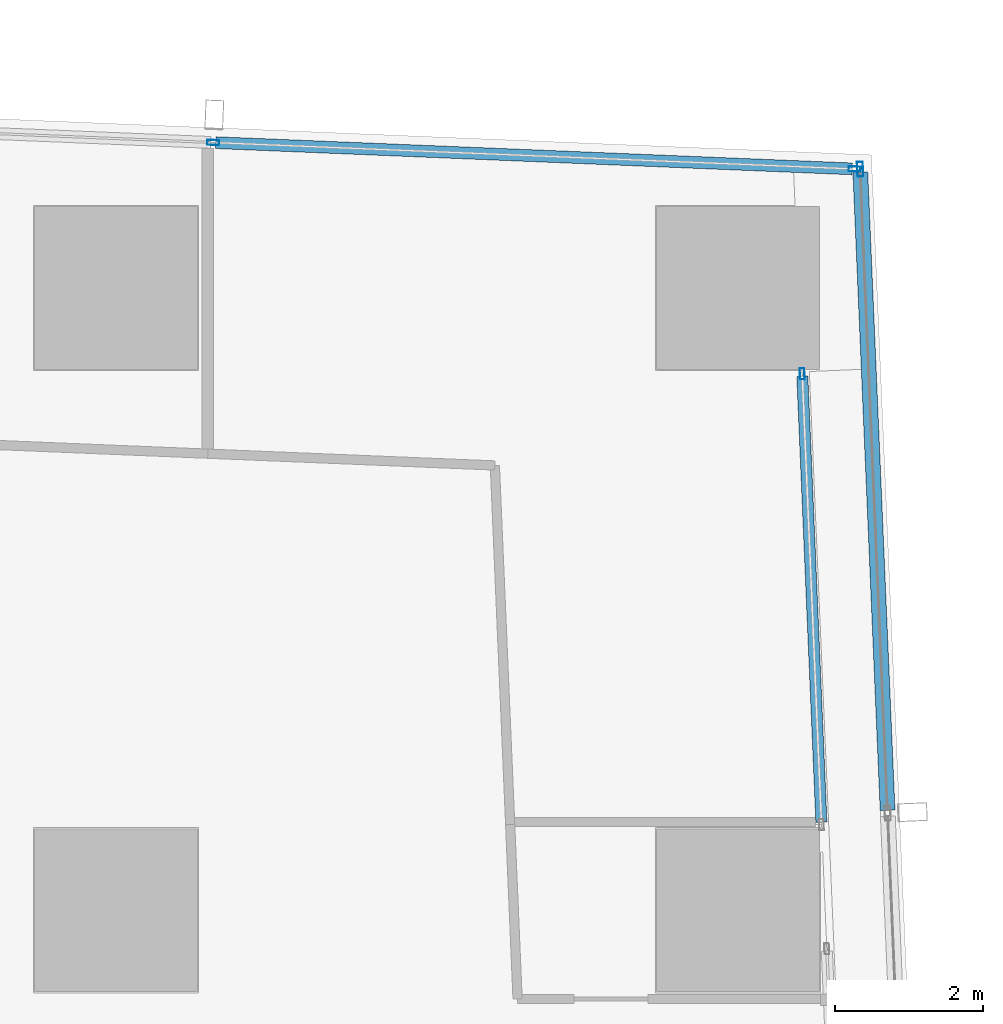
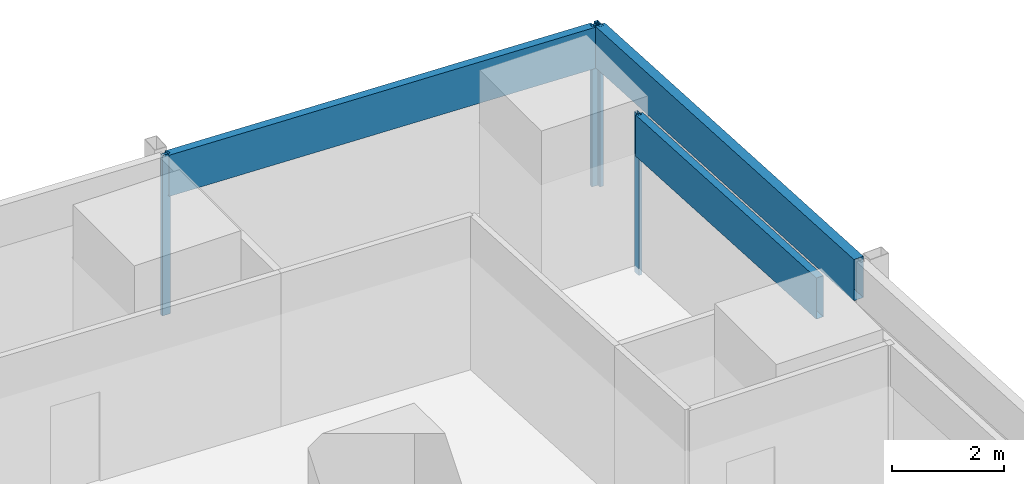
# One storey, part 23 of 45: 7 members, 3 elements without a shape of their own.
"""IFC4 building model written with IfcOpenShell, lengths in metres."""

from ifc_helpers import new_model, si_unit, direction, frame, origin, origin_2d, place, context, subcontext, project, spatial, hollow_rectangle, extrude, material, material_profile, profile_set, type_object, element, aggregate, save


model = new_model("IFC4")

# Units and contexts
model_context = context("Model", 3, precision=1e-05, world=origin(), true_north=direction((0.0, 1.0)))
body_context = subcontext(model_context, "Body", "Model", "MODEL_VIEW")
ifc_project = project(units=[si_unit("LENGTHUNIT", "METRE"), si_unit("AREAUNIT", "SQUARE_METRE"), si_unit("VOLUMEUNIT", "CUBIC_METRE"), si_unit("PLANEANGLEUNIT", "RADIAN"), si_unit("MASSUNIT", "GRAM", prefix="KILO")], contexts=[model_context])

# Site, building, storey
site_placement = place(None, origin())
site = spatial("IfcSite", under=ifc_project, at=site_placement, CompositionType="ELEMENT")
building_placement = place(site_placement, origin())
building = spatial("IfcBuilding", under=site, at=building_placement, Name="Rekha Terrace Tower", CompositionType="ELEMENT")
storey_placement = place(building_placement, frame((0.0, 0.0, 44.14990234375)))
storey = spatial("IfcBuildingStorey", under=building, at=storey_placement, Name="L10", CompositionType="ELEMENT", Elevation=44.14990234375)

# Curtain wall, members
ifc_material_1 = material(Name="Aluminium framing", Category="aluminium")
curtain_wall_type_1 = type_object("IfcCurtainWallType", Name="CW1 double skin inner glazing", PredefinedType="USERDEFINED", material=ifc_material_1)
curtain_wall_1_placement = place(storey_placement, origin())
curtain_wall_1 = element("IfcCurtainWall", 1, at=curtain_wall_1_placement, inside=storey, type_object=curtain_wall_type_1, Name="CW1 double skin inner glazing", ObjectType="DOUBLE SKIN INNER GLAZING", PredefinedType="USERDEFINED")
ifc_material_2 = material(Name="Aluminium mullion section", Category="aluminium")
ifc_material_profile_1 = material_profile(ifc_material_2, hollow_rectangle(XDim=0.06494140625, YDim=0.14990234375, WallThickness=0.00390625, at=origin_2d()), Name="AL RHS 65x150")
ifc_profile_set_1 = profile_set([ifc_material_profile_1], Name="Aluminium mullion section")
member_type_1 = type_object("IfcMemberType", Name="CW1 mullion RHS 65 x 150", PredefinedType="MULLION", material=ifc_profile_set_1)
member_1_placement = place(storey_placement, frame((68.0654296875, 57.6435546875, 0.0), z_axis=(0.0, 0.0, 1.0), x_axis=(-0.9990881069, -0.042696073026, 0.0)))
member_1 = element("IfcMember", 2, at=member_1_placement, type_object=member_type_1, Name="CW1 mullion 2", PredefinedType="MULLION", context=body_context, shape_type="SweptSolid", body=[
    extrude(hollow_rectangle(XDim=0.06494140625, YDim=0.14990234375, WallThickness=0.00390625, at=origin_2d()), origin(), (0.0, 0.0, 1.0), 3.5),
])
ifc_material_3 = material(Name="Insulated aluminium spandrel box", Category="aluminium")
ifc_material_profile_2 = material_profile(ifc_material_3, hollow_rectangle(XDim=0.14990234375, YDim=0.89990234375, WallThickness=0.0029296875, at=origin_2d()), Name="AL SPANDREL BOX 150x900")
ifc_profile_set_2 = profile_set([ifc_material_profile_2], Name="Insulated aluminium spandrel box")
member_type_2 = type_object("IfcMemberType", Name="CW1 spandrel transom 150 x 900", PredefinedType="USERDEFINED", material=ifc_profile_set_2)
member_2_placement = place(storey_placement, frame((68.32421875, 51.5888671875, 3.050048828125), z_axis=(-0.042730627731, 0.999086629604, 0.0), x_axis=(-0.999086629604, -0.042730627731, 0.0)))
member_2 = element("IfcMember", 3, at=member_2_placement, type_object=member_type_2, Name="CW1 spandrel transom 1", ObjectType="TRANSOM", PredefinedType="USERDEFINED", context=body_context, shape_type="SweptSolid", body=[
    extrude(hollow_rectangle(XDim=0.14990234375, YDim=0.89990234375, WallThickness=0.0029296875, at=origin_2d()), origin(), (0.0, 0.0, 1.0), 6.02783203125),
])
aggregate(curtain_wall_1, [member_1, member_2])

curtain_wall_type_2 = type_object("IfcCurtainWallType", Name="CW2 double skin outer glazing", PredefinedType="USERDEFINED", material=ifc_material_1)
curtain_wall_2_placement = place(storey_placement, origin())
curtain_wall_2 = element("IfcCurtainWall", 4, at=curtain_wall_2_placement, inside=storey, type_object=curtain_wall_type_2, Name="CW2 double skin outer glazing", ObjectType="DOUBLE SKIN OUTER GLAZING", PredefinedType="USERDEFINED")
ifc_material_profile_3 = material_profile(ifc_material_2, hollow_rectangle(XDim=0.080078125, YDim=0.199951171875, WallThickness=0.00390625, at=origin_2d()), Name="AL RHS 80x200")
ifc_profile_set_3 = profile_set([ifc_material_profile_3], Name="Aluminium mullion section")
member_type_3 = type_object("IfcMemberType", Name="CW2 mullion RHS 80 x 200", PredefinedType="MULLION", material=ifc_profile_set_3)
member_3_placement = place(storey_placement, frame((68.84814453125, 60.40625, 0.0), z_axis=(0.0, 0.0, 1.0), x_axis=(-0.999088106903, -0.042696072956, 0.0)))
member_3 = element("IfcMember", 5, at=member_3_placement, type_object=member_type_3, Name="CW2 mullion 5", PredefinedType="MULLION", context=body_context, shape_type="SweptSolid", body=[
    extrude(hollow_rectangle(XDim=0.080078125, YDim=0.199951171875, WallThickness=0.00390625, at=origin_2d()), origin(), (0.0, 0.0, 1.0), 3.5),
])
ifc_material_profile_4 = material_profile(ifc_material_3, hollow_rectangle(XDim=0.199951171875, YDim=0.89990234375, WallThickness=0.0029296875, at=origin_2d()), Name="AL SPANDREL BOX 200x900")
ifc_profile_set_4 = profile_set([ifc_material_profile_4], Name="Insulated aluminium spandrel box")
member_type_4 = type_object("IfcMemberType", Name="CW2 spandrel transom 200 x 900", PredefinedType="USERDEFINED", material=ifc_profile_set_4)
member_4_placement = place(storey_placement, frame((69.218017578125, 51.750244140625, 3.050048828125), z_axis=(-0.042691483974, 0.999088303002, 0.0), x_axis=(-0.999088303002, -0.042691483974, 0.0)))
member_4 = element("IfcMember", 6, at=member_4_placement, type_object=member_type_4, Name="CW2 spandrel transom 4", ObjectType="TRANSOM", PredefinedType="USERDEFINED", context=body_context, shape_type="SweptSolid", body=[
    extrude(hollow_rectangle(XDim=0.199951171875, YDim=0.89990234375, WallThickness=0.0029296875, at=origin_2d()), origin(), (0.0, 0.0, 1.0), 8.623779296875),
])
aggregate(curtain_wall_2, [member_3, member_4])

curtain_wall_type_3 = type_object("IfcCurtainWallType", Name="CW3 north unitised glazing", PredefinedType="USERDEFINED", material=ifc_material_1)
curtain_wall_3_placement = place(storey_placement, origin())
curtain_wall_3 = element("IfcCurtainWall", 7, at=curtain_wall_3_placement, inside=storey, type_object=curtain_wall_type_3, Name="CW3 unitised curtain wall", ObjectType="UNITISED CURTAIN WALL", PredefinedType="USERDEFINED")
ifc_material_profile_5 = material_profile(ifc_material_2, hollow_rectangle(XDim=0.070068359375, YDim=0.159912109375, WallThickness=0.00390625, at=origin_2d()), Name="AL RHS 70x160")
ifc_profile_set_5 = profile_set([ifc_material_profile_5], Name="Aluminium mullion section")
member_type_5 = type_object("IfcMemberType", Name="CW3 mullion RHS 70 x 160", PredefinedType="MULLION", material=ifc_profile_set_5)
member_5_placement = place(storey_placement, frame((68.77294921875, 60.4091796875, 0.0), z_axis=(0.0, 0.0, 1.0), x_axis=(-0.041173846041, -0.999151997647, 0.0)))
member_5 = element("IfcMember", 8, at=member_5_placement, type_object=member_type_5, Name="CW3 mullion 1", PredefinedType="MULLION", context=body_context, shape_type="SweptSolid", body=[
    extrude(hollow_rectangle(XDim=0.070068359375, YDim=0.159912109375, WallThickness=0.00390625, at=origin_2d()), origin(), (0.0, 0.0, 1.0), 3.5),
])
member_6_placement = place(storey_placement, frame((60.111572265625, 60.76611328125, 0.0), z_axis=(0.0, 0.0, 1.0), x_axis=(-0.041173846041, -0.999151997647, 0.0)))
member_6 = element("IfcMember", 9, at=member_6_placement, type_object=member_type_5, Name="CW3 mullion 2", PredefinedType="MULLION", context=body_context, shape_type="SweptSolid", body=[
    extrude(hollow_rectangle(XDim=0.070068359375, YDim=0.159912109375, WallThickness=0.00390625, at=origin_2d()), origin(), (0.0, 0.0, 1.0), 3.5),
])
ifc_material_profile_6 = material_profile(ifc_material_3, hollow_rectangle(XDim=0.159912109375, YDim=0.89990234375, WallThickness=0.0029296875, at=origin_2d()), Name="AL SPANDREL BOX 160x900")
ifc_profile_set_6 = profile_set([ifc_material_profile_6], Name="Insulated aluminium spandrel box")
member_type_6 = type_object("IfcMemberType", Name="CW3 spandrel transom 160 x 900", PredefinedType="USERDEFINED", material=ifc_profile_set_6)
member_7_placement = place(storey_placement, frame((68.738037109375, 60.41064453125, 3.050048828125), z_axis=(-0.99915220621, 0.041168784604, 0.0), x_axis=(-0.041168784604, -0.99915220621, 0.0)))
member_7 = element("IfcMember", 10, at=member_7_placement, type_object=member_type_6, Name="CW3 spandrel transom 1", ObjectType="TRANSOM", PredefinedType="USERDEFINED", context=body_context, shape_type="SweptSolid", body=[
    extrude(hollow_rectangle(XDim=0.159912109375, YDim=0.89990234375, WallThickness=0.0029296875, at=origin_2d()), origin(), (0.0, 0.0, 1.0), 8.598876953125),
])
aggregate(curtain_wall_3, [member_5, member_6, member_7])

save(model, "model.ifc")
